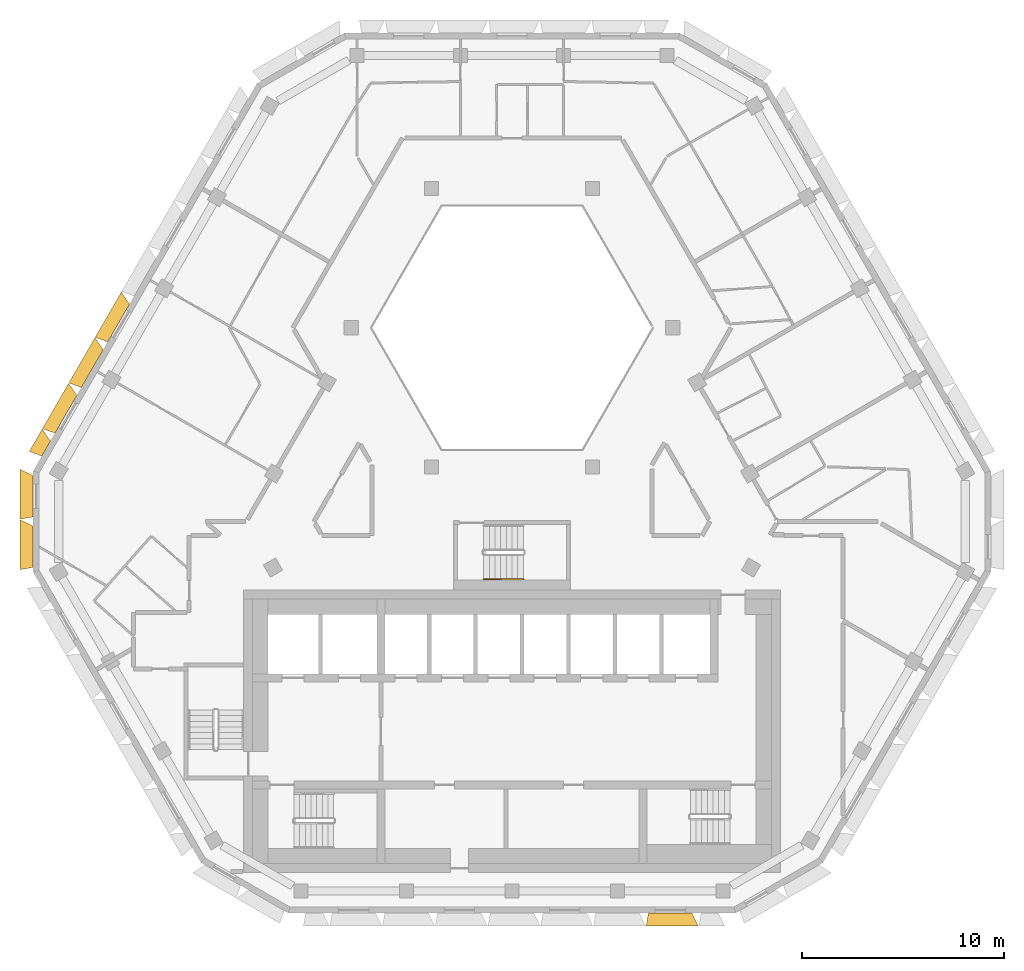
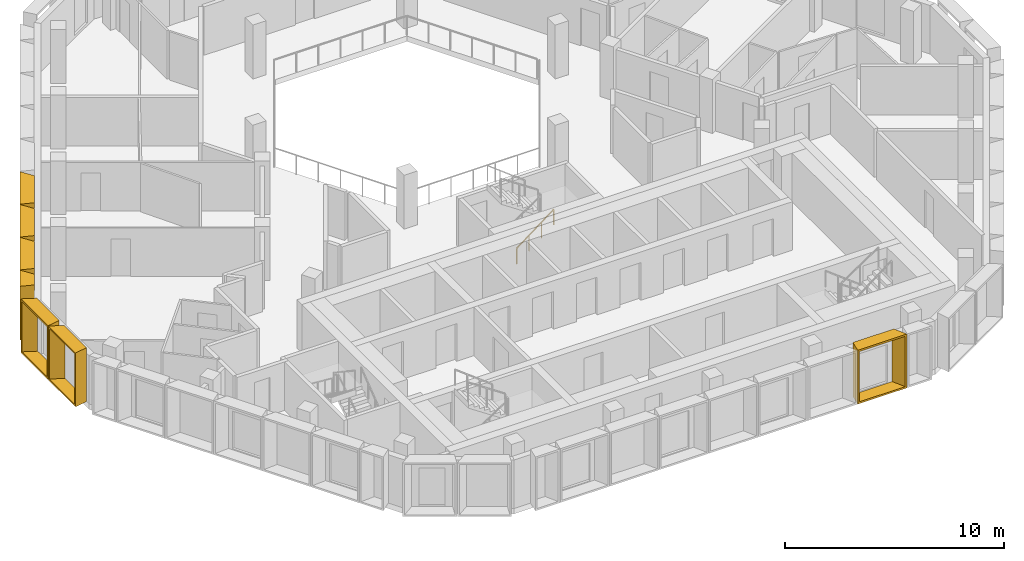
# One storey, part 11 of 14: 7 shading devices, 1 railing.
"""IFC4 building model written with IfcOpenShell, lengths in metres."""

from ifc_helpers import new_model, entity, si_unit, direction, frame, origin, origin_2d, place, context, subcontext, project, spatial, rectangle, extrude, source, transform, mapped, material, type_object, type_shapes, element, save


model = new_model("IFC4")

# Units and contexts
model_context = context("Model", 3, precision=1e-05, world=origin(), true_north=direction((0.0, 1.0)))
body_context = subcontext(model_context, "Body", "Model", "MODEL_VIEW")
ifc_project = project(units=[si_unit("LENGTHUNIT", "METRE"), si_unit("AREAUNIT", "SQUARE_METRE"), si_unit("VOLUMEUNIT", "CUBIC_METRE"), si_unit("PLANEANGLEUNIT", "RADIAN"), si_unit("MASSUNIT", "GRAM", prefix="KILO")], contexts=[model_context])

# Site, building, storey
site_placement = place(None, origin())
site = spatial("IfcSite", under=ifc_project, at=site_placement, CompositionType="ELEMENT")
building_placement = place(site_placement, origin())
building = spatial("IfcBuilding", under=site, at=building_placement, Name="Beryl Residences", CompositionType="ELEMENT")
storey_placement = place(building_placement, frame((0.0, 0.0, 235.800048828125)))
storey = spatial("IfcBuildingStorey", under=building, at=storey_placement, Name="L73", CompositionType="ELEMENT", Elevation=235.800048828125)

# Shading devices
ifc_material_1 = material(Name="Aluminium pale anodised", Category="aluminium")
shading_device_type_1 = type_object("IfcShadingDeviceType", Name="FR131-65B OUTER SKIN frame 650 mm deep, splay 26/10 deg, 1310 x 3000 mm cell", PredefinedType="USERDEFINED", material=ifc_material_1)
cartesian_point_1 = entity("IfcCartesianPoint", [-0.428955078125, 0.0])
cartesian_point_2 = entity("IfcCartesianPoint", [-0.340087890625, 0.10009765625])
cartesian_point_3 = entity("IfcCartesianPoint", [-0.74609375, 0.0])
cartesian_point_4 = entity("IfcCartesianPoint", [-0.656982421875, 0.10009765625])
shared_shape_1 = source(origin(), body_context, "Body", "SweptSolid", [
    entity("IfcExtrudedAreaSolidTapered", entity("IfcArbitraryProfileDefWithVoids", "AREA", None, entity("IfcPolyline", [cartesian_point_1, entity("IfcCartesianPoint", [0.428955078125, 0.0]), entity("IfcCartesianPoint", [0.428955078125, 3.0]), entity("IfcCartesianPoint", [-0.428955078125, 3.0]), cartesian_point_1]), [entity("IfcPolyline", [cartesian_point_2, entity("IfcCartesianPoint", [0.34765625, 0.10009765625]), entity("IfcCartesianPoint", [0.34765625, 2.89990234375]), entity("IfcCartesianPoint", [-0.340087890625, 2.89990234375]), cartesian_point_2])]), entity("IfcAxis2Placement3D", entity("IfcCartesianPoint", [0.0, 0.0, 0.0]), entity("IfcDirection", [0.0, 1.0, 0.0]), entity("IfcDirection", [-1.0, 0.0, 0.0])), entity("IfcDirection", [0.0, 0.0, 1.0]), 0.64990234375, entity("IfcArbitraryProfileDefWithVoids", "AREA", None, entity("IfcPolyline", [cartesian_point_3, entity("IfcCartesianPoint", [0.543701171875, 0.0]), entity("IfcCartesianPoint", [0.543701171875, 3.0]), entity("IfcCartesianPoint", [-0.74609375, 3.0]), cartesian_point_3]), [entity("IfcPolyline", [cartesian_point_4, entity("IfcCartesianPoint", [0.46240234375, 0.10009765625]), entity("IfcCartesianPoint", [0.46240234375, 2.89990234375]), entity("IfcCartesianPoint", [-0.656982421875, 2.89990234375]), cartesian_point_4])])),
])
type_shapes(shading_device_type_1, [shared_shape_1])
shading_device_1_placement = place(storey_placement, frame((-23.083984375, 2.01611328125, 0.0), z_axis=(0.0, 0.0, 1.0), x_axis=(0.5, 0.866025403784, 0.0)))
element("IfcShadingDevice", 1, at=shading_device_1_placement, inside=storey, type_object=shading_device_type_1, Name="FR131-65B frame L73 NW 9", ObjectType="OUTER SKIN", PredefinedType="USERDEFINED", context=body_context, shape_type="MappedRepresentation", body=[
    mapped(shared_shape_1, transform((0.0, 0.0, 0.0))),
])
ifc_material_2 = material(Name="Aluminium pale anodised", Category="aluminium")
shading_device_type_2 = type_object("IfcShadingDeviceType", Name="FR250-65B OUTER SKIN frame 650 mm deep, splay 26/10 deg, 2500 x 3000 mm cell", PredefinedType="USERDEFINED", material=ifc_material_2)
cartesian_point_5 = entity("IfcCartesianPoint", [-1.02392578125, 0.0])
cartesian_point_6 = entity("IfcCartesianPoint", [-0.93505859375, 0.10009765625])
cartesian_point_7 = entity("IfcCartesianPoint", [-1.341064453125, 0.0])
cartesian_point_8 = entity("IfcCartesianPoint", [-1.251953125, 0.10009765625])
shared_shape_2 = source(origin(), body_context, "Body", "SweptSolid", [
    entity("IfcExtrudedAreaSolidTapered", entity("IfcArbitraryProfileDefWithVoids", "AREA", None, entity("IfcPolyline", [cartesian_point_5, entity("IfcCartesianPoint", [1.02392578125, 0.0]), entity("IfcCartesianPoint", [1.02392578125, 3.0]), entity("IfcCartesianPoint", [-1.02392578125, 3.0]), cartesian_point_5]), [entity("IfcPolyline", [cartesian_point_6, entity("IfcCartesianPoint", [0.94287109375, 0.10009765625]), entity("IfcCartesianPoint", [0.94287109375, 2.89990234375]), entity("IfcCartesianPoint", [-0.93505859375, 2.89990234375]), cartesian_point_6])]), entity("IfcAxis2Placement3D", entity("IfcCartesianPoint", [0.0, 0.0, 0.0]), entity("IfcDirection", [0.0, 1.0, 0.0]), entity("IfcDirection", [-1.0, 0.0, 0.0])), entity("IfcDirection", [0.0, 0.0, 1.0]), 0.64990234375, entity("IfcArbitraryProfileDefWithVoids", "AREA", None, entity("IfcPolyline", [cartesian_point_7, entity("IfcCartesianPoint", [1.138671875, 0.0]), entity("IfcCartesianPoint", [1.138671875, 3.0]), entity("IfcCartesianPoint", [-1.341064453125, 3.0]), cartesian_point_7]), [entity("IfcPolyline", [cartesian_point_8, entity("IfcCartesianPoint", [1.057373046875, 0.10009765625]), entity("IfcCartesianPoint", [1.057373046875, 2.89990234375]), entity("IfcCartesianPoint", [-1.251953125, 2.89990234375]), cartesian_point_8])])),
])
type_shapes(shading_device_type_2, [shared_shape_2])
for number, where, z_axis, x_axis, name in (
    (2, (-23.72900390625, -0.35009765625, 0.0), (0.0, 0.0, 1.0), (0.0, 1.0, 0.0), "FR250-65B frame L73 NW-SW 1"),
    (3, (-23.72900390625, -2.85009765625, 0.0), (0.0, 0.0, 1.0), (0.0, 1.0, 0.0), "FR250-65B frame L73 NW-SW 2"),
):
    element("IfcShadingDevice", number, at=place(storey_placement, frame(where, z_axis=z_axis, x_axis=x_axis)), inside=storey, type_object=shading_device_type_2, Name=name, ObjectType="OUTER SKIN", PredefinedType="USERDEFINED", context=body_context, shape_type="MappedRepresentation", body=[
        mapped(shared_shape_2, transform((0.0, 0.0, 0.0))),
    ])
ifc_material_3 = material(Name="Aluminium pale anodised", Category="aluminium")
shading_device_type_3 = type_object("IfcShadingDeviceType", Name="FR261-65B OUTER SKIN frame 650 mm deep, splay 26/10 deg, 2610 x 3000 mm cell", PredefinedType="USERDEFINED", material=ifc_material_3)
cartesian_point_9 = entity("IfcCartesianPoint", [-1.0791015625, 0.0])
cartesian_point_10 = entity("IfcCartesianPoint", [-0.989990234375, 0.10009765625])
cartesian_point_11 = entity("IfcCartesianPoint", [-1.39599609375, 0.0])
cartesian_point_12 = entity("IfcCartesianPoint", [-1.30712890625, 0.10009765625])
shared_shape_3 = source(origin(), body_context, "Body", "SweptSolid", [
    entity("IfcExtrudedAreaSolidTapered", entity("IfcArbitraryProfileDefWithVoids", "AREA", None, entity("IfcPolyline", [cartesian_point_9, entity("IfcCartesianPoint", [1.0791015625, 0.0]), entity("IfcCartesianPoint", [1.0791015625, 3.0]), entity("IfcCartesianPoint", [-1.0791015625, 3.0]), cartesian_point_9]), [entity("IfcPolyline", [cartesian_point_10, entity("IfcCartesianPoint", [0.997802734375, 0.10009765625]), entity("IfcCartesianPoint", [0.997802734375, 2.89990234375]), entity("IfcCartesianPoint", [-0.989990234375, 2.89990234375]), cartesian_point_10])]), entity("IfcAxis2Placement3D", entity("IfcCartesianPoint", [0.0, 0.0, 0.0]), entity("IfcDirection", [0.0, 1.0, 0.0]), entity("IfcDirection", [-1.0, 0.0, 0.0])), entity("IfcDirection", [0.0, 0.0, 1.0]), 0.64990234375, entity("IfcArbitraryProfileDefWithVoids", "AREA", None, entity("IfcPolyline", [cartesian_point_11, entity("IfcCartesianPoint", [1.193603515625, 0.0]), entity("IfcCartesianPoint", [1.193603515625, 3.0]), entity("IfcCartesianPoint", [-1.39599609375, 3.0]), cartesian_point_11]), [entity("IfcPolyline", [cartesian_point_12, entity("IfcCartesianPoint", [1.1123046875, 0.10009765625]), entity("IfcCartesianPoint", [1.1123046875, 2.89990234375]), entity("IfcCartesianPoint", [-1.30712890625, 2.89990234375]), cartesian_point_12])])),
])
type_shapes(shading_device_type_3, [shared_shape_3])
for number, where, z_axis, x_axis, name in (
    (4, (-19.491943359375, 8.237060546875, 0.0), (0.0, 0.0, 1.0), (0.5, 0.866025403784, 0.0), "FR261-65B frame L73 NW 6"),
    (5, (-20.798095703125, 5.97509765625, 0.0), (0.0, 0.0, 1.0), (0.5, 0.866025403784, 0.0), "FR261-65B frame L73 NW 7"),
    (6, (-22.10498046875, 3.7119140625, 0.0), (0.0, 0.0, 1.0), (0.5, 0.866025403784, 0.0), "FR261-65B frame L73 NW 8"),
):
    element("IfcShadingDevice", number, at=place(storey_placement, frame(where, z_axis=z_axis, x_axis=x_axis)), inside=storey, type_object=shading_device_type_3, Name=name, ObjectType="OUTER SKIN", PredefinedType="USERDEFINED", context=body_context, shape_type="MappedRepresentation", body=[
        mapped(shared_shape_3, transform((0.0, 0.0, 0.0))),
    ])
ifc_material_4 = material(Name="Aluminium pale anodised", Category="aluminium")
shading_device_type_4 = type_object("IfcShadingDeviceType", Name="FR261-65C OUTER SKIN frame 650 mm deep, splay 10/26 deg, 2610 x 3000 mm cell", PredefinedType="USERDEFINED", material=ifc_material_4)
cartesian_point_13 = entity("IfcCartesianPoint", [-1.0791015625, 0.0])
cartesian_point_14 = entity("IfcCartesianPoint", [-0.997802734375, 0.10009765625])
cartesian_point_15 = entity("IfcCartesianPoint", [-1.193603515625, 0.0])
cartesian_point_16 = entity("IfcCartesianPoint", [-1.1123046875, 0.10009765625])
shared_shape_4 = source(origin(), body_context, "Body", "SweptSolid", [
    entity("IfcExtrudedAreaSolidTapered", entity("IfcArbitraryProfileDefWithVoids", "AREA", None, entity("IfcPolyline", [cartesian_point_13, entity("IfcCartesianPoint", [1.0791015625, 0.0]), entity("IfcCartesianPoint", [1.0791015625, 3.0]), entity("IfcCartesianPoint", [-1.0791015625, 3.0]), cartesian_point_13]), [entity("IfcPolyline", [cartesian_point_14, entity("IfcCartesianPoint", [0.989990234375, 0.10009765625]), entity("IfcCartesianPoint", [0.989990234375, 2.89990234375]), entity("IfcCartesianPoint", [-0.997802734375, 2.89990234375]), cartesian_point_14])]), entity("IfcAxis2Placement3D", entity("IfcCartesianPoint", [0.0, 0.0, 0.0]), entity("IfcDirection", [0.0, 1.0, 0.0]), entity("IfcDirection", [-1.0, 0.0, 0.0])), entity("IfcDirection", [0.0, 0.0, 1.0]), 0.64990234375, entity("IfcArbitraryProfileDefWithVoids", "AREA", None, entity("IfcPolyline", [cartesian_point_15, entity("IfcCartesianPoint", [1.39599609375, 0.0]), entity("IfcCartesianPoint", [1.39599609375, 3.0]), entity("IfcCartesianPoint", [-1.193603515625, 3.0]), cartesian_point_15]), [entity("IfcPolyline", [cartesian_point_16, entity("IfcCartesianPoint", [1.30712890625, 0.10009765625]), entity("IfcCartesianPoint", [1.30712890625, 2.89990234375]), entity("IfcCartesianPoint", [-1.1123046875, 2.89990234375]), cartesian_point_16])])),
])
type_shapes(shading_device_type_4, [shared_shape_4])
shading_device_2_placement = place(storey_placement, frame((7.8369140625, -21.0, 0.0), z_axis=(0.0, 0.0, 1.0), x_axis=(-1.0, 0.0, 0.0)))
element("IfcShadingDevice", 7, at=shading_device_2_placement, inside=storey, type_object=shading_device_type_4, Name="FR261-65C frame L73 S 8", ObjectType="OUTER SKIN", PredefinedType="USERDEFINED", context=body_context, shape_type="MappedRepresentation", body=[
    mapped(shared_shape_4, transform((0.0, 0.0, 0.0))),
])

# Railing
ifc_material_5 = material(Name="Stainless steel handrail", Category="steel")
railing_type = type_object("IfcRailingType", Name="SRL1 stair handrail 900 mm", PredefinedType="HANDRAIL", material=ifc_material_5)
railing_placement = place(storey_placement, frame((-1.39990234375, -4.449951171875, 0.1875)))
element("IfcRailing", 8, at=railing_placement, inside=storey, type_object=railing_type, Name="L73 ST-4 stair handrail 1", PredefinedType="HANDRAIL", context=body_context, shape_type="SweptSolid", body=[
    extrude(rectangle(XDim=0.048095703125, YDim=0.048095703125, at=origin_2d()), frame((0.0, 0.0, 0.8759765625), z_axis=(0.794121922505, 0.0, 0.607758481798), x_axis=(0.0, 1.0, 0.0)), (0.0, 0.0, 1.0), 2.468017578125),
    extrude(rectangle(XDim=0.0419921875, YDim=0.0419921875, at=origin_2d()), origin(), (0.0, 0.0, 1.0), 0.851806640625),
    extrude(rectangle(XDim=0.0419921875, YDim=0.0419921875, at=origin_2d()), frame((0.6533203125, 0.0, 0.5)), (0.0, 0.0, 1.0), 0.851806640625),
    extrude(rectangle(XDim=0.0419921875, YDim=0.0419921875, at=origin_2d()), frame((1.306640625, 0.0, 1.0)), (0.0, 0.0, 1.0), 0.851806640625),
    extrude(rectangle(XDim=0.0419921875, YDim=0.0419921875, at=origin_2d()), frame((1.9599609375, 0.0, 1.5)), (0.0, 0.0, 1.0), 0.851806640625),
])

save(model, "model.ifc")
